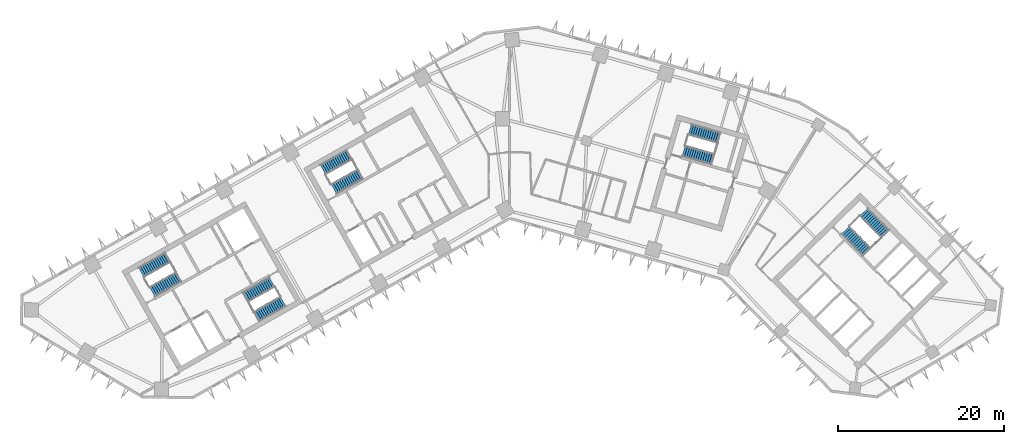
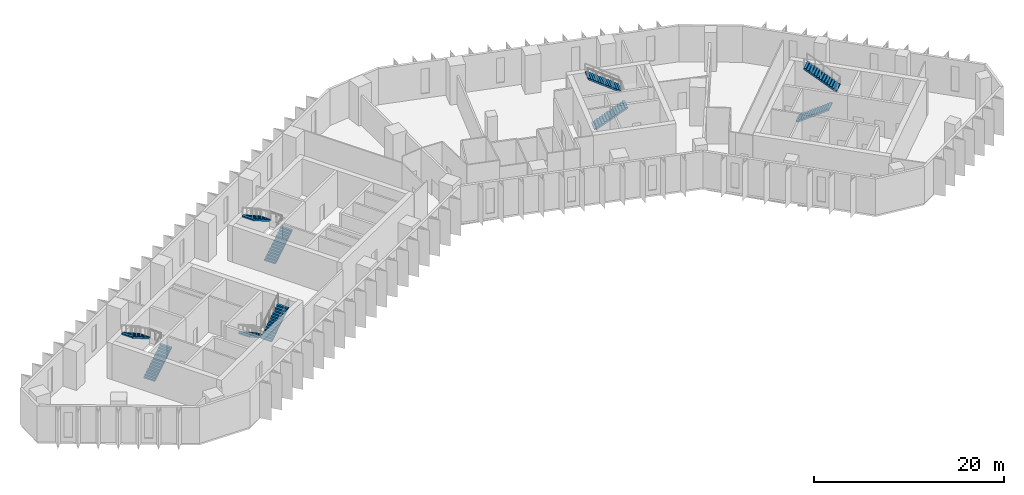
# One storey, part 8 of 11: 10 stair flights, 5 elements without a shape of their own.
"""IFC4 building model written with IfcOpenShell, lengths in metres."""

from ifc_helpers import new_model, si_unit, direction, frame, origin, place, context, subcontext, project, spatial, polyline, outline, extrude, material, type_object, element, aggregate, save


model = new_model("IFC4")

# Units and contexts
model_context = context("Model", 3, precision=1e-05, world=origin(), true_north=direction((0.0, 1.0)))
body_context = subcontext(model_context, "Body", "Model", "MODEL_VIEW")
ifc_project = project(units=[si_unit("LENGTHUNIT", "METRE"), si_unit("AREAUNIT", "SQUARE_METRE"), si_unit("VOLUMEUNIT", "CUBIC_METRE"), si_unit("PLANEANGLEUNIT", "RADIAN"), si_unit("MASSUNIT", "GRAM", prefix="KILO")], contexts=[model_context])

# Site, building, storey
site_placement = place(None, origin())
site = spatial("IfcSite", under=ifc_project, at=site_placement, CompositionType="ELEMENT")
building_placement = place(site_placement, origin())
building = spatial("IfcBuilding", under=site, at=building_placement, Name="Binnacle Exchange Tower", CompositionType="ELEMENT")
storey_placement = place(building_placement, frame((0.0, 0.0, 86.5)))
storey = spatial("IfcBuildingStorey", under=building, at=storey_placement, Name="L17", CompositionType="ELEMENT", Elevation=86.5)

# Stair, stair flights
ifc_material = material(Name="Concrete C35/45", Category="concrete")
stair_type = type_object("IfcStairType", Name="STAIR 28 RISERS 179", PredefinedType="HALF_TURN_STAIR", material=ifc_material)
stair_1_placement = place(storey_placement, origin())
stair_1 = element("IfcStair", 1, at=stair_1_placement, inside=storey, type_object=stair_type, Name="L17 Escape stair A1", PredefinedType="HALF_TURN_STAIR")
stair_flight_type = type_object("IfcStairFlightType", Name="STAIR FLIGHT 179X280", PredefinedType="STRAIGHT", material=ifc_material)
stair_flight_1_placement = place(storey_placement, frame((-42.9541015625, 39.17333984375, 0.0), z_axis=(0.0, 0.0, 1.0), x_axis=(0.870355584213, 0.492423757581, 0.0)))
stair_flight_1 = element("IfcStairFlight", 2, at=stair_flight_1_placement, type_object=stair_flight_type, Name="STA1 flight 1", NumberOfRisers=14, NumberOfTreads=13, PredefinedType="STRAIGHT", RiserHeight=0.178571429, TreadLength=0.28, context=body_context, shape_type="SweptSolid", body=[
    extrude(outline(polyline([(0.0, 0.0), (0.0, 0.178466796875), (0.280029296875, 0.178466796875), (0.280029296875, 0.357177734375), (0.56005859375, 0.357177734375), (0.56005859375, 0.53564453125), (0.840087890625, 0.53564453125), (0.840087890625, 0.71435546875), (1.1201171875, 0.71435546875), (1.1201171875, 0.892822265625), (1.39990234375, 0.892822265625), (1.39990234375, 1.071533203125), (1.679931640625, 1.071533203125), (1.679931640625, 1.25), (1.9599609375, 1.25), (1.9599609375, 1.428466796875), (2.239990234375, 1.428466796875), (2.239990234375, 1.607177734375), (2.52001953125, 1.607177734375), (2.52001953125, 1.78564453125), (2.800048828125, 1.78564453125), (2.800048828125, 1.96435546875), (3.080078125, 1.96435546875), (3.080078125, 2.142822265625), (3.360107421875, 2.142822265625), (3.360107421875, 2.321533203125), (3.639892578125, 2.321533203125), (3.639892578125, 2.5), (3.639892578125, 2.1435546875), (0.27880859375, 0.0), (0.0, 0.0)])), frame((0.0, 0.675048828125, 0.0), z_axis=(0.0, -1.0, 0.0), x_axis=(1.0, 0.0, 0.0)), (0.0, 0.0, 1.0), 1.35009765625),
])
stair_flight_2_placement = place(storey_placement, frame((-41.115478515625, 43.315673828125, 2.5), z_axis=(0.0, 0.0, 1.0), x_axis=(-0.870355584213, -0.492423757581, 0.0)))
stair_flight_2 = element("IfcStairFlight", 3, at=stair_flight_2_placement, type_object=stair_flight_type, Name="STA1 flight 2", NumberOfRisers=14, NumberOfTreads=13, PredefinedType="STRAIGHT", RiserHeight=0.178571429, TreadLength=0.28, context=body_context, shape_type="SweptSolid", body=[
    extrude(outline(polyline([(0.0, 0.0), (0.0, 0.178466796875), (0.280029296875, 0.178466796875), (0.280029296875, 0.357177734375), (0.56005859375, 0.357177734375), (0.56005859375, 0.53564453125), (0.840087890625, 0.53564453125), (0.840087890625, 0.71435546875), (1.1201171875, 0.71435546875), (1.1201171875, 0.892822265625), (1.39990234375, 0.892822265625), (1.39990234375, 1.071533203125), (1.679931640625, 1.071533203125), (1.679931640625, 1.25), (1.9599609375, 1.25), (1.9599609375, 1.428466796875), (2.239990234375, 1.428466796875), (2.239990234375, 1.607177734375), (2.52001953125, 1.607177734375), (2.52001953125, 1.78564453125), (2.800048828125, 1.78564453125), (2.800048828125, 1.96435546875), (3.080078125, 1.96435546875), (3.080078125, 2.142822265625), (3.360107421875, 2.142822265625), (3.360107421875, 2.321533203125), (3.639892578125, 2.321533203125), (3.639892578125, 2.5), (3.639892578125, 2.1435546875), (0.27880859375, 0.0), (0.0, 0.0)])), frame((0.0, 0.675048828125, 0.0), z_axis=(0.0, -1.0, 0.0), x_axis=(1.0, 0.0, 0.0)), (0.0, 0.0, 1.0), 1.35009765625),
])
aggregate(stair_1, [stair_flight_1, stair_flight_2])

stair_2_placement = place(storey_placement, origin())
stair_2 = element("IfcStair", 4, at=stair_2_placement, inside=storey, type_object=stair_type, Name="L17 Escape stair A2", PredefinedType="HALF_TURN_STAIR")
stair_flight_3_placement = place(storey_placement, frame((-28.5732421875, 40.3583984375, 0.0), z_axis=(0.0, 0.0, 1.0), x_axis=(-0.870355584213, -0.492423757581, 0.0)))
stair_flight_3 = element("IfcStairFlight", 5, at=stair_flight_3_placement, type_object=stair_flight_type, Name="STA2 flight 1", NumberOfRisers=14, NumberOfTreads=13, PredefinedType="STRAIGHT", RiserHeight=0.178571429, TreadLength=0.28, context=body_context, shape_type="SweptSolid", body=[
    extrude(outline(polyline([(0.0, 0.0), (0.0, 0.178466796875), (0.280029296875, 0.178466796875), (0.280029296875, 0.357177734375), (0.56005859375, 0.357177734375), (0.56005859375, 0.53564453125), (0.840087890625, 0.53564453125), (0.840087890625, 0.71435546875), (1.1201171875, 0.71435546875), (1.1201171875, 0.892822265625), (1.39990234375, 0.892822265625), (1.39990234375, 1.071533203125), (1.679931640625, 1.071533203125), (1.679931640625, 1.25), (1.9599609375, 1.25), (1.9599609375, 1.428466796875), (2.239990234375, 1.428466796875), (2.239990234375, 1.607177734375), (2.52001953125, 1.607177734375), (2.52001953125, 1.78564453125), (2.800048828125, 1.78564453125), (2.800048828125, 1.96435546875), (3.080078125, 1.96435546875), (3.080078125, 2.142822265625), (3.360107421875, 2.142822265625), (3.360107421875, 2.321533203125), (3.639892578125, 2.321533203125), (3.639892578125, 2.5), (3.639892578125, 2.1435546875), (0.27880859375, 0.0), (0.0, 0.0)])), frame((0.0, 0.675048828125, 0.0), z_axis=(0.0, -1.0, 0.0), x_axis=(1.0, 0.0, 0.0)), (0.0, 0.0, 1.0), 1.35009765625),
])
stair_flight_4_placement = place(storey_placement, frame((-30.411865234375, 36.216064453125, 2.5), z_axis=(0.0, 0.0, 1.0), x_axis=(0.870355584213, 0.492423757581, 0.0)))
stair_flight_4 = element("IfcStairFlight", 6, at=stair_flight_4_placement, type_object=stair_flight_type, Name="STA2 flight 2", NumberOfRisers=14, NumberOfTreads=13, PredefinedType="STRAIGHT", RiserHeight=0.178571429, TreadLength=0.28, context=body_context, shape_type="SweptSolid", body=[
    extrude(outline(polyline([(0.0, 0.0), (0.0, 0.178466796875), (0.280029296875, 0.178466796875), (0.280029296875, 0.357177734375), (0.56005859375, 0.357177734375), (0.56005859375, 0.53564453125), (0.840087890625, 0.53564453125), (0.840087890625, 0.71435546875), (1.1201171875, 0.71435546875), (1.1201171875, 0.892822265625), (1.39990234375, 0.892822265625), (1.39990234375, 1.071533203125), (1.679931640625, 1.071533203125), (1.679931640625, 1.25), (1.9599609375, 1.25), (1.9599609375, 1.428466796875), (2.239990234375, 1.428466796875), (2.239990234375, 1.607177734375), (2.52001953125, 1.607177734375), (2.52001953125, 1.78564453125), (2.800048828125, 1.78564453125), (2.800048828125, 1.96435546875), (3.080078125, 1.96435546875), (3.080078125, 2.142822265625), (3.360107421875, 2.142822265625), (3.360107421875, 2.321533203125), (3.639892578125, 2.321533203125), (3.639892578125, 2.5), (3.639892578125, 2.1435546875), (0.27880859375, 0.0), (0.0, 0.0)])), frame((0.0, 0.675048828125, 0.0), z_axis=(0.0, -1.0, 0.0), x_axis=(1.0, 0.0, 0.0)), (0.0, 0.0, 1.0), 1.35009765625),
])
aggregate(stair_2, [stair_flight_3, stair_flight_4])

stair_3_placement = place(storey_placement, origin())
stair_3 = element("IfcStair", 7, at=stair_3_placement, inside=storey, type_object=stair_type, Name="L17 Escape stair B1", PredefinedType="HALF_TURN_STAIR")
stair_flight_5_placement = place(storey_placement, frame((40.376708984375, 46.608642578125, 0.0), z_axis=(0.0, 0.0, 1.0), x_axis=(0.70090935144, -0.713250363522, 0.0)))
stair_flight_5 = element("IfcStairFlight", 8, at=stair_flight_5_placement, type_object=stair_flight_type, Name="STB1 flight 1", NumberOfRisers=14, NumberOfTreads=13, PredefinedType="STRAIGHT", RiserHeight=0.178571429, TreadLength=0.28, context=body_context, shape_type="SweptSolid", body=[
    extrude(outline(polyline([(0.0, 0.0), (0.0, 0.178466796875), (0.280029296875, 0.178466796875), (0.280029296875, 0.357177734375), (0.56005859375, 0.357177734375), (0.56005859375, 0.53564453125), (0.840087890625, 0.53564453125), (0.840087890625, 0.71435546875), (1.1201171875, 0.71435546875), (1.1201171875, 0.892822265625), (1.39990234375, 0.892822265625), (1.39990234375, 1.071533203125), (1.679931640625, 1.071533203125), (1.679931640625, 1.25), (1.9599609375, 1.25), (1.9599609375, 1.428466796875), (2.239990234375, 1.428466796875), (2.239990234375, 1.607177734375), (2.52001953125, 1.607177734375), (2.52001953125, 1.78564453125), (2.800048828125, 1.78564453125), (2.800048828125, 1.96435546875), (3.080078125, 1.96435546875), (3.080078125, 2.142822265625), (3.360107421875, 2.142822265625), (3.360107421875, 2.321533203125), (3.639892578125, 2.321533203125), (3.639892578125, 2.5), (3.639892578125, 2.1435546875), (0.27880859375, 0.0), (0.0, 0.0)])), frame((0.0, 0.675048828125, 0.0), z_axis=(0.0, -1.0, 0.0), x_axis=(1.0, 0.0, 0.0)), (0.0, 0.0, 1.0), 1.35009765625),
])
stair_flight_6_placement = place(storey_placement, frame((45.13916015625, 46.185302734375, 2.5), z_axis=(0.0, 0.0, 1.0), x_axis=(-0.70090935144, 0.713250363522, 0.0)))
stair_flight_6 = element("IfcStairFlight", 9, at=stair_flight_6_placement, type_object=stair_flight_type, Name="STB1 flight 2", NumberOfRisers=14, NumberOfTreads=13, PredefinedType="STRAIGHT", RiserHeight=0.178571429, TreadLength=0.28, context=body_context, shape_type="SweptSolid", body=[
    extrude(outline(polyline([(0.0, 0.0), (0.0, 0.178466796875), (0.280029296875, 0.178466796875), (0.280029296875, 0.357177734375), (0.56005859375, 0.357177734375), (0.56005859375, 0.53564453125), (0.840087890625, 0.53564453125), (0.840087890625, 0.71435546875), (1.1201171875, 0.71435546875), (1.1201171875, 0.892822265625), (1.39990234375, 0.892822265625), (1.39990234375, 1.071533203125), (1.679931640625, 1.071533203125), (1.679931640625, 1.25), (1.9599609375, 1.25), (1.9599609375, 1.428466796875), (2.239990234375, 1.428466796875), (2.239990234375, 1.607177734375), (2.52001953125, 1.607177734375), (2.52001953125, 1.78564453125), (2.800048828125, 1.78564453125), (2.800048828125, 1.96435546875), (3.080078125, 1.96435546875), (3.080078125, 2.142822265625), (3.360107421875, 2.142822265625), (3.360107421875, 2.321533203125), (3.639892578125, 2.321533203125), (3.639892578125, 2.5), (3.639892578125, 2.1435546875), (0.27880859375, 0.0), (0.0, 0.0)])), frame((0.0, 0.675048828125, 0.0), z_axis=(0.0, -1.0, 0.0), x_axis=(1.0, 0.0, 0.0)), (0.0, 0.0, 1.0), 1.35009765625),
])
aggregate(stair_3, [stair_flight_5, stair_flight_6])

stair_4_placement = place(storey_placement, origin())
stair_4 = element("IfcStair", 10, at=stair_4_placement, inside=storey, type_object=stair_type, Name="L17 Escape stair C1", PredefinedType="HALF_TURN_STAIR")
stair_flight_7_placement = place(storey_placement, frame((-21.115966796875, 51.528564453125, 0.0), z_axis=(0.0, 0.0, 1.0), x_axis=(0.870355584213, 0.492423757581, 0.0)))
stair_flight_7 = element("IfcStairFlight", 11, at=stair_flight_7_placement, type_object=stair_flight_type, Name="STC1 flight 1", NumberOfRisers=14, NumberOfTreads=13, PredefinedType="STRAIGHT", RiserHeight=0.178571429, TreadLength=0.28, context=body_context, shape_type="SweptSolid", body=[
    extrude(outline(polyline([(0.0, 0.0), (0.0, 0.178466796875), (0.280029296875, 0.178466796875), (0.280029296875, 0.357177734375), (0.56005859375, 0.357177734375), (0.56005859375, 0.53564453125), (0.840087890625, 0.53564453125), (0.840087890625, 0.71435546875), (1.1201171875, 0.71435546875), (1.1201171875, 0.892822265625), (1.39990234375, 0.892822265625), (1.39990234375, 1.071533203125), (1.679931640625, 1.071533203125), (1.679931640625, 1.25), (1.9599609375, 1.25), (1.9599609375, 1.428466796875), (2.239990234375, 1.428466796875), (2.239990234375, 1.607177734375), (2.52001953125, 1.607177734375), (2.52001953125, 1.78564453125), (2.800048828125, 1.78564453125), (2.800048828125, 1.96435546875), (3.080078125, 1.96435546875), (3.080078125, 2.142822265625), (3.360107421875, 2.142822265625), (3.360107421875, 2.321533203125), (3.639892578125, 2.321533203125), (3.639892578125, 2.5), (3.639892578125, 2.1435546875), (0.27880859375, 0.0), (0.0, 0.0)])), frame((0.0, 0.675048828125, 0.0), z_axis=(0.0, -1.0, 0.0), x_axis=(1.0, 0.0, 0.0)), (0.0, 0.0, 1.0), 1.35009765625),
])
stair_flight_8_placement = place(storey_placement, frame((-19.27734375, 55.671142578125, 2.5), z_axis=(0.0, 0.0, 1.0), x_axis=(-0.870355584213, -0.492423757581, 0.0)))
stair_flight_8 = element("IfcStairFlight", 12, at=stair_flight_8_placement, type_object=stair_flight_type, Name="STC1 flight 2", NumberOfRisers=14, NumberOfTreads=13, PredefinedType="STRAIGHT", RiserHeight=0.178571429, TreadLength=0.28, context=body_context, shape_type="SweptSolid", body=[
    extrude(outline(polyline([(0.0, 0.0), (0.0, 0.178466796875), (0.280029296875, 0.178466796875), (0.280029296875, 0.357177734375), (0.56005859375, 0.357177734375), (0.56005859375, 0.53564453125), (0.840087890625, 0.53564453125), (0.840087890625, 0.71435546875), (1.1201171875, 0.71435546875), (1.1201171875, 0.892822265625), (1.39990234375, 0.892822265625), (1.39990234375, 1.071533203125), (1.679931640625, 1.071533203125), (1.679931640625, 1.25), (1.9599609375, 1.25), (1.9599609375, 1.428466796875), (2.239990234375, 1.428466796875), (2.239990234375, 1.607177734375), (2.52001953125, 1.607177734375), (2.52001953125, 1.78564453125), (2.800048828125, 1.78564453125), (2.800048828125, 1.96435546875), (3.080078125, 1.96435546875), (3.080078125, 2.142822265625), (3.360107421875, 2.142822265625), (3.360107421875, 2.321533203125), (3.639892578125, 2.321533203125), (3.639892578125, 2.5), (3.639892578125, 2.1435546875), (0.27880859375, 0.0), (0.0, 0.0)])), frame((0.0, 0.675048828125, 0.0), z_axis=(0.0, -1.0, 0.0), x_axis=(1.0, 0.0, 0.0)), (0.0, 0.0, 1.0), 1.35009765625),
])
aggregate(stair_4, [stair_flight_7, stair_flight_8])

stair_5_placement = place(storey_placement, origin())
stair_5 = element("IfcStair", 13, at=stair_5_placement, inside=storey, type_object=stair_type, Name="L17 Escape stair D1", PredefinedType="HALF_TURN_STAIR")
stair_flight_9_placement = place(storey_placement, frame((20.914306640625, 56.109619140625, 0.0), z_axis=(0.0, 0.0, 1.0), x_axis=(0.961261811397, -0.275636953165, 0.0)))
stair_flight_9 = element("IfcStairFlight", 14, at=stair_flight_9_placement, type_object=stair_flight_type, Name="STD1 flight 1", NumberOfRisers=14, NumberOfTreads=13, PredefinedType="STRAIGHT", RiserHeight=0.178571429, TreadLength=0.28, context=body_context, shape_type="SweptSolid", body=[
    extrude(outline(polyline([(0.0, 0.0), (0.0, 0.178466796875), (0.280029296875, 0.178466796875), (0.280029296875, 0.357177734375), (0.56005859375, 0.357177734375), (0.56005859375, 0.53564453125), (0.840087890625, 0.53564453125), (0.840087890625, 0.71435546875), (1.1201171875, 0.71435546875), (1.1201171875, 0.892822265625), (1.39990234375, 0.892822265625), (1.39990234375, 1.071533203125), (1.679931640625, 1.071533203125), (1.679931640625, 1.25), (1.9599609375, 1.25), (1.9599609375, 1.428466796875), (2.239990234375, 1.428466796875), (2.239990234375, 1.607177734375), (2.52001953125, 1.607177734375), (2.52001953125, 1.78564453125), (2.800048828125, 1.78564453125), (2.800048828125, 1.96435546875), (3.080078125, 1.96435546875), (3.080078125, 2.142822265625), (3.360107421875, 2.142822265625), (3.360107421875, 2.321533203125), (3.639892578125, 2.321533203125), (3.639892578125, 2.5), (3.639892578125, 2.1435546875), (0.27880859375, 0.0), (0.0, 0.0)])), frame((0.0, 0.675048828125, 0.0), z_axis=(0.0, -1.0, 0.0), x_axis=(1.0, 0.0, 0.0)), (0.0, 0.0, 1.0), 1.35009765625),
])
stair_flight_10_placement = place(storey_placement, frame((25.157470703125, 57.70166015625, 2.5), z_axis=(0.0, 0.0, 1.0), x_axis=(-0.961261811397, 0.275636953165, 0.0)))
stair_flight_10 = element("IfcStairFlight", 15, at=stair_flight_10_placement, type_object=stair_flight_type, Name="STD1 flight 2", NumberOfRisers=14, NumberOfTreads=13, PredefinedType="STRAIGHT", RiserHeight=0.178571429, TreadLength=0.28, context=body_context, shape_type="SweptSolid", body=[
    extrude(outline(polyline([(0.0, 0.0), (0.0, 0.178466796875), (0.280029296875, 0.178466796875), (0.280029296875, 0.357177734375), (0.56005859375, 0.357177734375), (0.56005859375, 0.53564453125), (0.840087890625, 0.53564453125), (0.840087890625, 0.71435546875), (1.1201171875, 0.71435546875), (1.1201171875, 0.892822265625), (1.39990234375, 0.892822265625), (1.39990234375, 1.071533203125), (1.679931640625, 1.071533203125), (1.679931640625, 1.25), (1.9599609375, 1.25), (1.9599609375, 1.428466796875), (2.239990234375, 1.428466796875), (2.239990234375, 1.607177734375), (2.52001953125, 1.607177734375), (2.52001953125, 1.78564453125), (2.800048828125, 1.78564453125), (2.800048828125, 1.96435546875), (3.080078125, 1.96435546875), (3.080078125, 2.142822265625), (3.360107421875, 2.142822265625), (3.360107421875, 2.321533203125), (3.639892578125, 2.321533203125), (3.639892578125, 2.5), (3.639892578125, 2.1435546875), (0.27880859375, 0.0), (0.0, 0.0)])), frame((0.0, 0.675048828125, 0.0), z_axis=(0.0, -1.0, 0.0), x_axis=(1.0, 0.0, 0.0)), (0.0, 0.0, 1.0), 1.35009765625),
])
aggregate(stair_5, [stair_flight_9, stair_flight_10])

save(model, "model.ifc")
